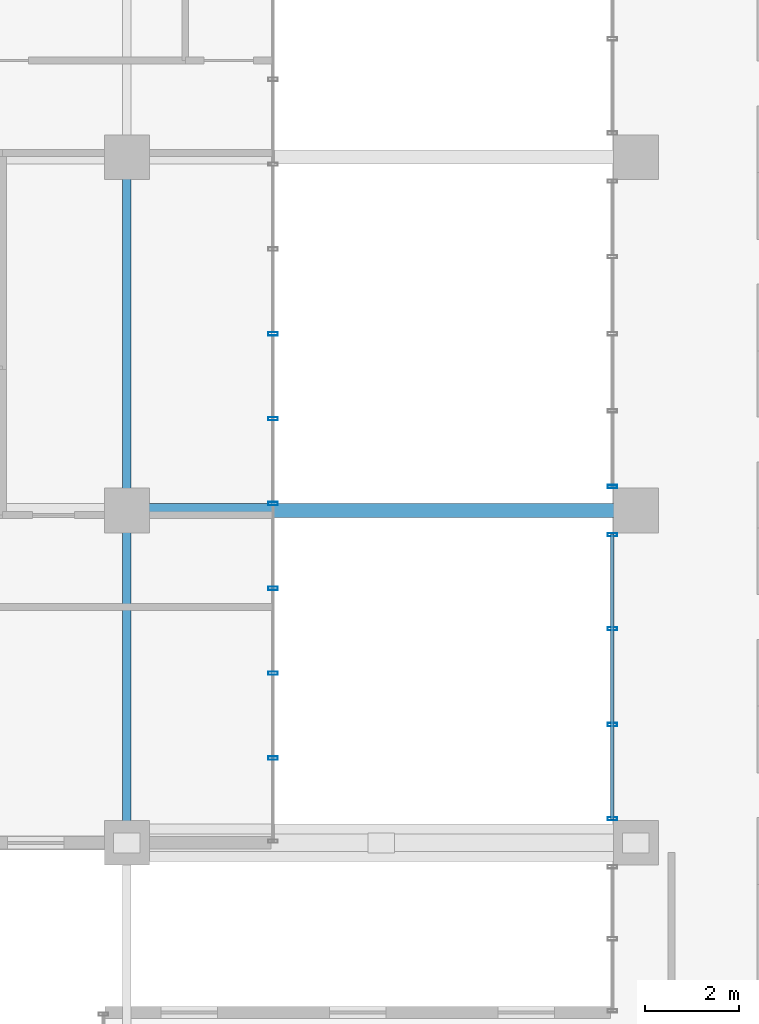
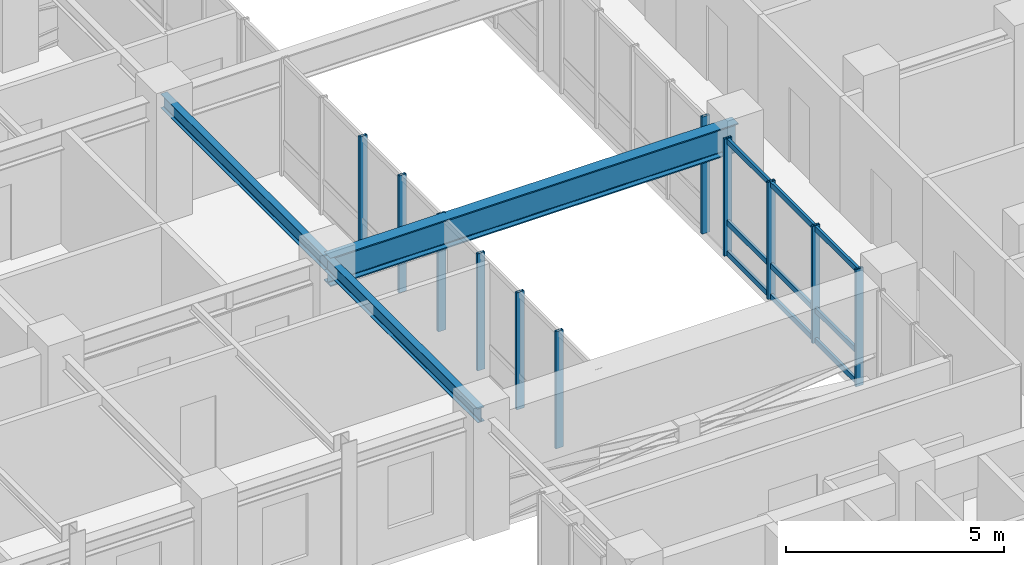
# One storey, part 10 of 23: 14 members, 3 beams, 3 elements without a shape of their own.
"""IFC4 building model written with IfcOpenShell, lengths in metres."""

from ifc_helpers import new_model, si_unit, direction, frame, origin, origin_2d, place, context, subcontext, project, spatial, hollow_rectangle, i_section, extrude, source, transform, mapped, material, layer, layer_set, material_profile, profile_set, type_object, element, aggregate, save


model = new_model("IFC4")

# Units and contexts
model_context = context("Model", 3, precision=1e-05, world=origin(), true_north=direction((0.0, 1.0)))
body_context = subcontext(model_context, "Body", "Model", "MODEL_VIEW")
ifc_project = project(units=[si_unit("LENGTHUNIT", "METRE"), si_unit("AREAUNIT", "SQUARE_METRE"), si_unit("VOLUMEUNIT", "CUBIC_METRE"), si_unit("PLANEANGLEUNIT", "RADIAN"), si_unit("MASSUNIT", "GRAM", prefix="KILO")], contexts=[model_context])

# Site, building, storey
site_placement = place(None, origin())
site = spatial("IfcSite", under=ifc_project, at=site_placement, CompositionType="ELEMENT")
building_placement = place(site_placement, origin())
building = spatial("IfcBuilding", under=site, at=building_placement, Name="Kaliganga Portal Commons", CompositionType="ELEMENT")
storey_placement = place(building_placement, frame((0.0, 0.0, 246.199951171875)))
storey = spatial("IfcBuildingStorey", under=building, at=storey_placement, Name="L63", CompositionType="ELEMENT", Elevation=246.199951171875)

# Beams
ifc_material_1 = material(Name="Structural steel S355J2", Category="steel")
ifc_material_profile_1 = material_profile(ifc_material_1, i_section(OverallWidth=0.179931640625, OverallDepth=0.39990234375, WebThickness=0.008544921875, FlangeThickness=0.013427734375, FilletRadius=0.02099609375, at=origin_2d()), Name="IPE 400")
ifc_profile_set_1 = profile_set([ifc_material_profile_1], Name="Structural steel S355J2 wide-flange")
beam_type_1 = type_object("IfcBeamType", Name="BM-FLR-400", PredefinedType="BEAM", material=ifc_profile_set_1)
shared_shape_1 = source(origin(), body_context, "Body", "SweptSolid", [
    extrude(i_section(OverallWidth=0.179931640625, OverallDepth=0.39990234375, WebThickness=0.008544921875, FlangeThickness=0.013427734375, FilletRadius=0.02099609375, at=origin_2d()), origin(), (0.0, 0.0, 1.0), 7.5),
])
beam_1_placement = place(storey_placement, frame((36.0, 28.64990234375, 3.080078125), z_axis=(0.0, 1.0, 0.0), x_axis=(-1.0, 0.0, 0.0)))
element("IfcBeam", 1, at=beam_1_placement, inside=storey, type_object=beam_type_1, Name="BM G L63 AM360", PredefinedType="BEAM", context=body_context, shape_type="MappedRepresentation", body=[
    mapped(shared_shape_1, transform((0.0, 0.0, 0.0), x_axis=(1.0, 0.0, 0.0), y_axis=(0.0, 1.0, 0.0), z_axis=(0.0, 0.0, 1.0), scale=1.0)),
])
shared_shape_2 = source(origin(), body_context, "Body", "SweptSolid", [
    extrude(i_section(OverallWidth=0.179931640625, OverallDepth=0.39990234375, WebThickness=0.008544921875, FlangeThickness=0.013427734375, FilletRadius=0.02099609375, at=origin_2d()), origin(), (0.0, 0.0, 1.0), 7.0498046875),
])
beam_2_placement = place(storey_placement, frame((36.0, 21.60009765625, 3.080078125), z_axis=(0.0, 1.0, 0.0), x_axis=(-1.0, 0.0, 0.0)))
element("IfcBeam", 2, at=beam_2_placement, inside=storey, type_object=beam_type_1, Name="BM G L63 AS360", PredefinedType="BEAM", context=body_context, shape_type="MappedRepresentation", body=[
    mapped(shared_shape_2, transform((0.0, 0.0, 0.0), x_axis=(1.0, 0.0, 0.0), y_axis=(0.0, 1.0, 0.0), z_axis=(0.0, 0.0, 1.0), scale=1.0)),
])
ifc_material_2 = material(Name="Structural steel S460M", Category="steel")
ifc_material_profile_2 = material_profile(ifc_material_2, i_section(OverallWidth=0.300048828125, OverallDepth=0.800048828125, WebThickness=0.017578125, FlangeThickness=0.032958984375, FilletRadius=0.030029296875, at=origin_2d()), Name="HE 800 B")
ifc_profile_set_2 = profile_set([ifc_material_profile_2], Name="Structural steel S460M wide-flange")
beam_type_2 = type_object("IfcBeamType", Name="BM-PORTAL-800", PredefinedType="USERDEFINED", material=ifc_profile_set_2)
shared_shape_3 = source(origin(), body_context, "Body", "SweptSolid", [
    extrude(i_section(OverallWidth=0.300048828125, OverallDepth=0.800048828125, WebThickness=0.017578125, FlangeThickness=0.032958984375, FilletRadius=0.030029296875, at=origin_2d()), origin(), (0.0, 0.0, 1.0), 10.800048828125),
])
beam_3_placement = place(storey_placement, frame((36.0, 28.64990234375, 2.880126953125), z_axis=(1.0, 0.0, 0.0), x_axis=(0.0, 1.0, 0.0)))
element("IfcBeam", 3, at=beam_3_placement, inside=storey, type_object=beam_type_2, Name="BM PORTAL BRG1", ObjectType="GIRDER", PredefinedType="USERDEFINED", context=body_context, shape_type="MappedRepresentation", body=[
    mapped(shared_shape_3, transform((0.0, 0.0, 0.0), x_axis=(1.0, 0.0, 0.0), y_axis=(0.0, 1.0, 0.0), z_axis=(0.0, 0.0, 1.0), scale=1.0)),
])

# Curtain wall, members
ifc_material_3 = material(Name="Anodized Aluminium and Laminated Low-E Glass", Category="aluminium")
ifc_layer = layer(ifc_material_3, 0.239990234375)
ifc_layer_set = layer_set([ifc_layer], Name="Anodized Aluminium and Laminated Low-E Glass")
curtain_wall_type = type_object("IfcCurtainWallType", Name="CW-SYS-04", PredefinedType="NOTDEFINED", material=ifc_layer_set)
curtain_wall_1_placement = place(storey_placement, origin())
curtain_wall_1 = element("IfcCurtainWall", 4, at=curtain_wall_1_placement, inside=storey, type_object=curtain_wall_type, Name="CW 04 L63 P2E07S3", PredefinedType="NOTDEFINED")
ifc_material_4 = material(Name="Dark Bronze Anodized Aluminium", Category="aluminium")
ifc_material_profile_3 = material_profile(ifc_material_4, hollow_rectangle(XDim=0.070068359375, YDim=0.14990234375, WallThickness=0.00341796875, at=origin_2d()), Name="ALU TRAN 70x150x3.5")
ifc_profile_set_3 = profile_set([ifc_material_profile_3], Name="Dark Bronze Anodized Aluminium")
member_type_1 = type_object("IfcMemberType", Name="CW-TRN-150", PredefinedType="USERDEFINED", material=ifc_profile_set_3)
shared_shape_4 = source(origin(), body_context, "Body", "SweptSolid", [
    extrude(hollow_rectangle(XDim=0.070068359375, YDim=0.14990234375, WallThickness=0.00341796875, at=origin_2d()), origin(), (0.0, 0.0, 1.0), 6.05810546875),
])
member_1_placement = place(storey_placement, frame((46.300048828125, 28.154052734375, 0.06005859375), z_axis=(0.0, -1.0, 0.0), x_axis=(1.0, 0.0, 0.0)))
member_1 = element("IfcMember", 5, at=member_1_placement, type_object=member_type_1, Name="CW:04:L63:P2E07S3 Transom 1", ObjectType="TRANSOM", PredefinedType="USERDEFINED", context=body_context, shape_type="MappedRepresentation", body=[
    mapped(shared_shape_4, transform((0.0, 0.0, 0.0), x_axis=(1.0, 0.0, 0.0), y_axis=(0.0, 1.0, 0.0), z_axis=(0.0, 0.0, 1.0), scale=1.0)),
])
member_2_placement = place(storey_placement, frame((46.300048828125, 28.154052734375, 0.91845703125), z_axis=(0.0, -1.0, 0.0), x_axis=(1.0, 0.0, 0.0)))
member_2 = element("IfcMember", 6, at=member_2_placement, type_object=member_type_1, Name="CW:04:L63:P2E07S3 Transom 2", ObjectType="TRANSOM", PredefinedType="USERDEFINED", context=body_context, shape_type="MappedRepresentation", body=[
    mapped(shared_shape_4, transform((0.0, 0.0, 0.0), x_axis=(1.0, 0.0, 0.0), y_axis=(0.0, 1.0, 0.0), z_axis=(0.0, 0.0, 1.0), scale=1.0)),
])
member_3_placement = place(storey_placement, frame((46.300048828125, 28.154052734375, 3.199951171875), z_axis=(0.0, -1.0, 0.0), x_axis=(1.0, 0.0, 0.0)))
member_3 = element("IfcMember", 7, at=member_3_placement, type_object=member_type_1, Name="CW:04:L63:P2E07S3 Transom 3", ObjectType="TRANSOM", PredefinedType="USERDEFINED", context=body_context, shape_type="MappedRepresentation", body=[
    mapped(shared_shape_4, transform((0.0, 0.0, 0.0), x_axis=(1.0, 0.0, 0.0), y_axis=(0.0, 1.0, 0.0), z_axis=(0.0, 0.0, 1.0), scale=1.0)),
])

curtain_wall_2_placement = place(storey_placement, origin())
curtain_wall_2 = element("IfcCurtainWall", 8, at=curtain_wall_2_placement, inside=storey, type_object=curtain_wall_type, Name="CW 04 L63 P1E01S1", PredefinedType="NOTDEFINED")
ifc_material_profile_4 = material_profile(ifc_material_4, hollow_rectangle(XDim=0.070068359375, YDim=0.199951171875, WallThickness=0.00390625, at=origin_2d()), Name="ALU MULL 70x200x4")
ifc_profile_set_4 = profile_set([ifc_material_profile_4], Name="Dark Bronze Anodized Aluminium")
member_type_2 = type_object("IfcMemberType", Name="CW-MUL-220", PredefinedType="MULLION", material=ifc_profile_set_4)
shared_shape_5 = source(origin(), body_context, "Body", "SweptSolid", [
    extrude(hollow_rectangle(XDim=0.070068359375, YDim=0.199951171875, WallThickness=0.00390625, at=origin_2d()), origin(), (0.0, 0.0, 1.0), 3.280029296875),
])
member_4_placement = place(storey_placement, frame((39.10009765625, 23.39990234375, 0.0), z_axis=(0.0, 0.0, 1.0), x_axis=(0.0, 1.0, 0.0)))
member_4 = element("IfcMember", 9, at=member_4_placement, type_object=member_type_2, Name="CW:04:L63:P1E01S1 Mullion 01", PredefinedType="MULLION", context=body_context, shape_type="MappedRepresentation", body=[
    mapped(shared_shape_5, transform((0.0, 0.0, 0.0), x_axis=(1.0, 0.0, 0.0), y_axis=(0.0, 1.0, 0.0), z_axis=(0.0, 0.0, 1.0), scale=1.0)),
])
member_5_placement = place(storey_placement, frame((39.10009765625, 25.199951171875, 0.0), z_axis=(0.0, 0.0, 1.0), x_axis=(0.0, 1.0, 0.0)))
member_5 = element("IfcMember", 10, at=member_5_placement, type_object=member_type_2, Name="CW:04:L63:P1E01S1 Mullion 02", PredefinedType="MULLION", context=body_context, shape_type="MappedRepresentation", body=[
    mapped(shared_shape_5, transform((0.0, 0.0, 0.0), x_axis=(1.0, 0.0, 0.0), y_axis=(0.0, 1.0, 0.0), z_axis=(0.0, 0.0, 1.0), scale=1.0)),
])
member_6_placement = place(storey_placement, frame((39.10009765625, 27.0, 0.0), z_axis=(0.0, 0.0, 1.0), x_axis=(0.0, 1.0, 0.0)))
member_6 = element("IfcMember", 11, at=member_6_placement, type_object=member_type_2, Name="CW:04:L63:P1E01S1 Mullion 03", PredefinedType="MULLION", context=body_context, shape_type="MappedRepresentation", body=[
    mapped(shared_shape_5, transform((0.0, 0.0, 0.0), x_axis=(1.0, 0.0, 0.0), y_axis=(0.0, 1.0, 0.0), z_axis=(0.0, 0.0, 1.0), scale=1.0)),
])
member_7_placement = place(storey_placement, frame((39.10009765625, 28.800048828125, 0.0), z_axis=(0.0, 0.0, 1.0), x_axis=(0.0, 1.0, 0.0)))
member_7 = element("IfcMember", 12, at=member_7_placement, type_object=member_type_2, Name="CW:04:L63:P1E01S1 Mullion 04", PredefinedType="MULLION", context=body_context, shape_type="MappedRepresentation", body=[
    mapped(shared_shape_5, transform((0.0, 0.0, 0.0), x_axis=(1.0, 0.0, 0.0), y_axis=(0.0, 1.0, 0.0), z_axis=(0.0, 0.0, 1.0), scale=1.0)),
])
member_8_placement = place(storey_placement, frame((39.10009765625, 30.60009765625, 0.0), z_axis=(0.0, 0.0, 1.0), x_axis=(0.0, 1.0, 0.0)))
member_8 = element("IfcMember", 13, at=member_8_placement, type_object=member_type_2, Name="CW:04:L63:P1E01S1 Mullion 05", PredefinedType="MULLION", context=body_context, shape_type="MappedRepresentation", body=[
    mapped(shared_shape_5, transform((0.0, 0.0, 0.0), x_axis=(1.0, 0.0, 0.0), y_axis=(0.0, 1.0, 0.0), z_axis=(0.0, 0.0, 1.0), scale=1.0)),
])
member_9_placement = place(storey_placement, frame((39.10009765625, 32.39990234375, 0.0), z_axis=(0.0, 0.0, 1.0), x_axis=(0.0, 1.0, 0.0)))
member_9 = element("IfcMember", 14, at=member_9_placement, type_object=member_type_2, Name="CW:04:L63:P1E01S1 Mullion 06", PredefinedType="MULLION", context=body_context, shape_type="MappedRepresentation", body=[
    mapped(shared_shape_5, transform((0.0, 0.0, 0.0), x_axis=(1.0, 0.0, 0.0), y_axis=(0.0, 1.0, 0.0), z_axis=(0.0, 0.0, 1.0), scale=1.0)),
])
aggregate(curtain_wall_2, [member_4, member_5, member_6, member_7, member_8, member_9])

# Curtain wall, member
curtain_wall_3_placement = place(storey_placement, origin())
curtain_wall_3 = element("IfcCurtainWall", 15, at=curtain_wall_3_placement, inside=storey, type_object=curtain_wall_type, Name="CW 04 L63 P2E07S2", PredefinedType="NOTDEFINED")
member_10_placement = place(storey_placement, frame((46.300048828125, 29.160888671875, 0.0), z_axis=(0.0, 0.0, 1.0), x_axis=(0.0, -1.0, 0.0)))
member_10 = element("IfcMember", 16, at=member_10_placement, type_object=member_type_2, Name="CW:04:L63:P2E07S2 Mullion 04", PredefinedType="MULLION", context=body_context, shape_type="MappedRepresentation", body=[
    mapped(shared_shape_5, transform((0.0, 0.0, 0.0), x_axis=(1.0, 0.0, 0.0), y_axis=(0.0, 1.0, 0.0), z_axis=(0.0, 0.0, 1.0), scale=1.0)),
])
aggregate(curtain_wall_3, [member_10])

# Member
member_11_placement = place(storey_placement, frame((46.300048828125, 28.138916015625, 0.0), z_axis=(0.0, 0.0, 1.0), x_axis=(0.0, -1.0, 0.0)))
member_11 = element("IfcMember", 17, at=member_11_placement, type_object=member_type_2, Name="CW:04:L63:P2E07S3 Mullion 00", PredefinedType="MULLION", context=body_context, shape_type="MappedRepresentation", body=[
    mapped(shared_shape_5, transform((0.0, 0.0, 0.0), x_axis=(1.0, 0.0, 0.0), y_axis=(0.0, 1.0, 0.0), z_axis=(0.0, 0.0, 1.0), scale=1.0)),
])

member_12_placement = place(storey_placement, frame((46.300048828125, 26.141357421875, 0.0), z_axis=(0.0, 0.0, 1.0), x_axis=(0.0, -1.0, 0.0)))
member_12 = element("IfcMember", 18, at=member_12_placement, type_object=member_type_2, Name="CW:04:L63:P2E07S3 Mullion 01", PredefinedType="MULLION", context=body_context, shape_type="MappedRepresentation", body=[
    mapped(shared_shape_5, transform((0.0, 0.0, 0.0), x_axis=(1.0, 0.0, 0.0), y_axis=(0.0, 1.0, 0.0), z_axis=(0.0, 0.0, 1.0), scale=1.0)),
])

member_13_placement = place(storey_placement, frame((46.300048828125, 24.108642578125, 0.0), z_axis=(0.0, 0.0, 1.0), x_axis=(0.0, -1.0, 0.0)))
member_13 = element("IfcMember", 19, at=member_13_placement, type_object=member_type_2, Name="CW:04:L63:P2E07S3 Mullion 02", PredefinedType="MULLION", context=body_context, shape_type="MappedRepresentation", body=[
    mapped(shared_shape_5, transform((0.0, 0.0, 0.0), x_axis=(1.0, 0.0, 0.0), y_axis=(0.0, 1.0, 0.0), z_axis=(0.0, 0.0, 1.0), scale=1.0)),
])

member_14_placement = place(storey_placement, frame((46.300048828125, 22.111083984375, 0.0), z_axis=(0.0, 0.0, 1.0), x_axis=(0.0, -1.0, 0.0)))
member_14 = element("IfcMember", 20, at=member_14_placement, type_object=member_type_2, Name="CW:04:L63:P2E07S3 Mullion 03", PredefinedType="MULLION", context=body_context, shape_type="MappedRepresentation", body=[
    mapped(shared_shape_5, transform((0.0, 0.0, 0.0), x_axis=(1.0, 0.0, 0.0), y_axis=(0.0, 1.0, 0.0), z_axis=(0.0, 0.0, 1.0), scale=1.0)),
])

aggregate(curtain_wall_1, [member_11, member_12, member_13, member_14, member_1, member_2, member_3])

save(model, "model.ifc")
